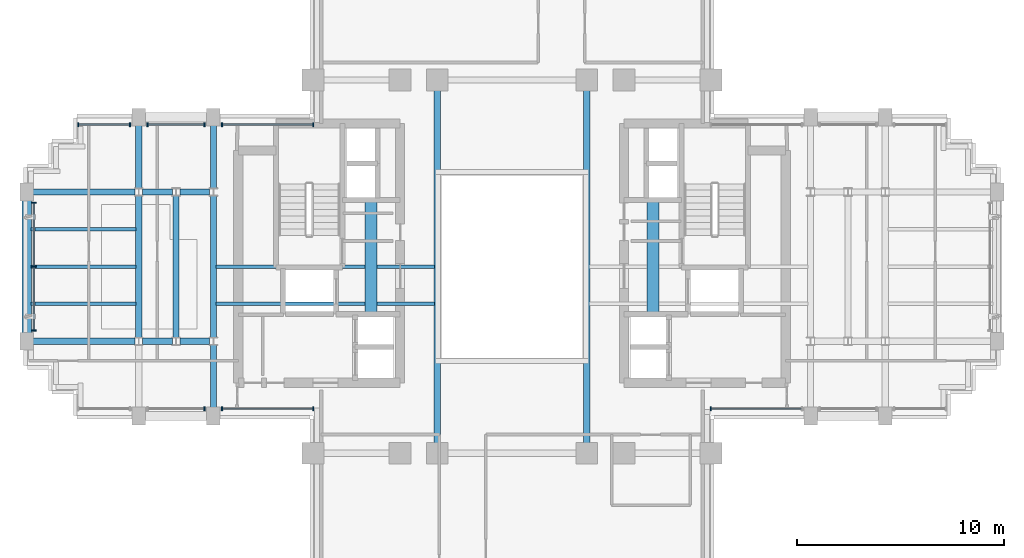
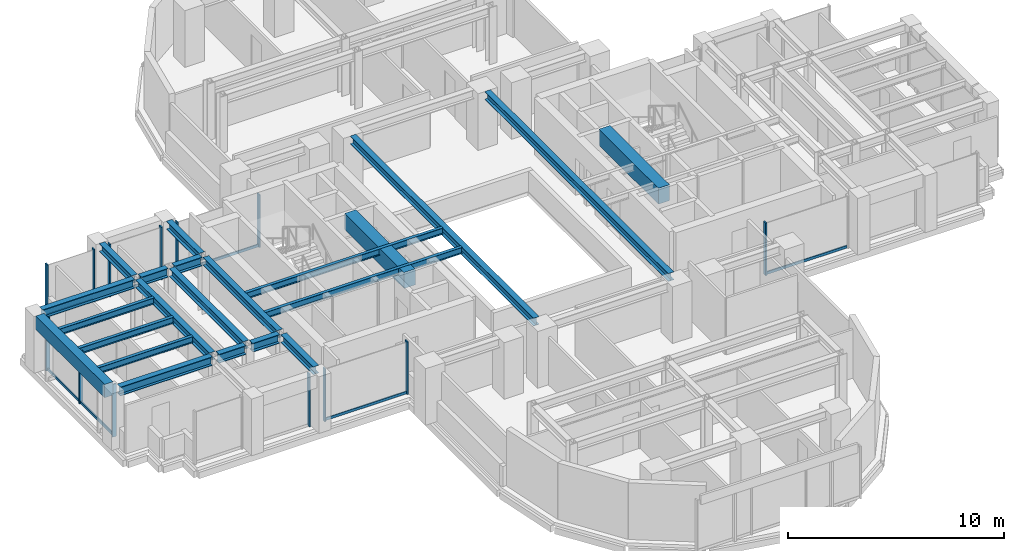
# One storey, part 4 of 14: 22 beams, 20 members, 7 elements without a shape of their own.
"""IFC4 building model written with IfcOpenShell, lengths in metres."""

from ifc_helpers import new_model, si_unit, direction, frame, origin, origin_2d, place, context, subcontext, project, spatial, rectangle, i_section, extrude, source, transform, mapped, material, material_profile, profile_set, type_object, element, aggregate, save


model = new_model("IFC4")

# Units and contexts
model_context = context("Model", 3, precision=1e-05, world=origin(), true_north=direction((0.0, 1.0)))
body_context = subcontext(model_context, "Body", "Model", "MODEL_VIEW")
ifc_project = project(units=[si_unit("LENGTHUNIT", "METRE"), si_unit("AREAUNIT", "SQUARE_METRE"), si_unit("VOLUMEUNIT", "CUBIC_METRE"), si_unit("PLANEANGLEUNIT", "RADIAN"), si_unit("MASSUNIT", "GRAM", prefix="KILO")], contexts=[model_context])

# Site, building, storey
site_placement = place(None, origin())
site = spatial("IfcSite", under=ifc_project, at=site_placement, CompositionType="ELEMENT")
building_placement = place(site_placement, origin())
building = spatial("IfcBuilding", under=site, at=building_placement, Name="Keilestroom Media Tower", CompositionType="ELEMENT")
storey_placement = place(building_placement, frame((0.0, 0.0, 121.0)))
storey = spatial("IfcBuildingStorey", under=building, at=storey_placement, Name="L32", CompositionType="ELEMENT", Elevation=121.0)

# Beams
ifc_material_1 = material(Name="Concrete C70/85", Category="concrete")
ifc_material_profile_1 = material_profile(ifc_material_1, rectangle(XDim=0.60009765625, YDim=0.89990234375, at=origin_2d()), Name="RC 600x900")
ifc_profile_set_1 = profile_set([ifc_material_profile_1], Name="Concrete C70/85")
beam_type_1 = type_object("IfcBeamType", Name="Core-Coupling-Lintel-Beam-RC-600x900", PredefinedType="LINTEL", material=ifc_profile_set_1)
shared_shape_1 = source(origin(), body_context, "Body", "SweptSolid", [
    extrude(rectangle(XDim=0.60009765625, YDim=0.89990234375, at=origin_2d()), origin(), (0.0, 0.0, 1.0), 5.52001953125),
])
for number, where, z_axis, x_axis, name in (
    (1, (-6.800048828125, -2.300048828125, 2.75), (0.0, 1.0, 0.0), (-1.0, 0.0, 0.0), "L32 Beam CLB-1 CLB-L32-W"),
    (2, (6.800048828125, -2.300048828125, 2.75), (0.0, 1.0, 0.0), (-1.0, 0.0, 0.0), "L32 Beam CLB-1 CLB-L32-E"),
):
    element("IfcBeam", number, at=place(storey_placement, frame(where, z_axis=z_axis, x_axis=x_axis)), inside=storey, type_object=beam_type_1, Name=name, PredefinedType="LINTEL", context=body_context, shape_type="MappedRepresentation", body=[
        mapped(shared_shape_1, transform((0.0, 0.0, 0.0), x_axis=(1.0, 0.0, 0.0), y_axis=(0.0, 1.0, 0.0), z_axis=(0.0, 0.0, 1.0), scale=1.0)),
    ])
ifc_material_2 = material(Name="Steel S355", Category="steel")
ifc_material_profile_2 = material_profile(ifc_material_2, i_section(OverallWidth=0.169921875, OverallDepth=0.360107421875, WebThickness=0.008056640625, FlangeThickness=0.0126953125, at=origin_2d()), Name="IPE 360")
ifc_profile_set_2 = profile_set([ifc_material_profile_2], Name="Steel S355")
beam_type_2 = type_object("IfcBeamType", Name="Secondary-Floor-Joist-IPE-360", PredefinedType="JOIST", material=ifc_profile_set_2)
shared_shape_2 = source(origin(), body_context, "Body", "SweptSolid", [
    extrude(i_section(OverallWidth=0.169921875, OverallDepth=0.360107421875, WebThickness=0.008056640625, FlangeThickness=0.0126953125, at=origin_2d()), origin(), (0.0, 0.0, 1.0), 10.5400390625),
])
for number, where, z_axis, x_axis, name in (
    (3, (-14.27001953125, -1.800048828125, 3.02001953125), (1.0, 0.0, 0.0), (0.0, 1.0, 0.0), "L32 Beam BJ-5 JST-L32-072"),
    (4, (-14.27001953125, 0.0, 3.02001953125), (1.0, 0.0, 0.0), (0.0, 1.0, 0.0), "L32 Beam BJ-5 JST-L32-077"),
):
    element("IfcBeam", number, at=place(storey_placement, frame(where, z_axis=z_axis, x_axis=x_axis)), inside=storey, type_object=beam_type_2, Name=name, PredefinedType="JOIST", context=body_context, shape_type="MappedRepresentation", body=[
        mapped(shared_shape_2, transform((0.0, 0.0, 0.0), x_axis=(1.0, 0.0, 0.0), y_axis=(0.0, 1.0, 0.0), z_axis=(0.0, 0.0, 1.0), scale=1.0)),
    ])
ifc_material_profile_3 = material_profile(ifc_material_2, i_section(OverallWidth=0.300048828125, OverallDepth=0.5, WebThickness=0.012451171875, FlangeThickness=0.028076171875, at=origin_2d()), Name="HEB 500")
ifc_profile_set_3 = profile_set([ifc_material_profile_3], Name="Steel S355")
beam_type_3 = type_object("IfcBeamType", Name="Primary-Structural-Girder-HEB-500", PredefinedType="BEAM", material=ifc_profile_set_3)
shared_shape_3 = source(origin(), body_context, "Body", "SweptSolid", [
    extrude(i_section(OverallWidth=0.300048828125, OverallDepth=0.5, WebThickness=0.012451171875, FlangeThickness=0.028076171875, at=origin_2d()), origin(), (0.0, 0.0, 1.0), 4.91455078125),
])
for number, where, z_axis, x_axis, name in (
    (5, (-23.094970703125, -3.60009765625, 2.949951171875), (1.0, 0.0, 0.0), (0.0, 1.0, 0.0), "L32 Beam BG-6 BM-L32-EW-014"),
    (6, (-23.094970703125, 3.60009765625, 2.949951171875), (1.0, 0.0, 0.0), (0.0, 1.0, 0.0), "L32 Beam BG-6 BM-L32-EW-020"),
):
    element("IfcBeam", number, at=place(storey_placement, frame(where, z_axis=z_axis, x_axis=x_axis)), inside=storey, type_object=beam_type_3, Name=name, PredefinedType="BEAM", context=body_context, shape_type="MappedRepresentation", body=[
        mapped(shared_shape_3, transform((0.0, 0.0, 0.0), x_axis=(1.0, 0.0, 0.0), y_axis=(0.0, 1.0, 0.0), z_axis=(0.0, 0.0, 1.0), scale=1.0)),
    ])
shared_shape_4 = source(origin(), body_context, "Body", "SweptSolid", [
    extrude(i_section(OverallWidth=0.300048828125, OverallDepth=0.5, WebThickness=0.012451171875, FlangeThickness=0.028076171875, at=origin_2d()), origin(), (0.0, 0.0, 1.0), 1.43896484375),
])
for number, where, z_axis, x_axis, name in (
    (7, (-17.819580078125, -3.60009765625, 2.949951171875), (1.0, 0.0, 0.0), (0.0, 1.0, 0.0), "L32 Beam BG-6 BM-L32-EW-015"),
    (8, (-16.01953125, -3.60009765625, 2.949951171875), (1.0, 0.0, 0.0), (0.0, 1.0, 0.0), "L32 Beam BG-6 BM-L32-EW-016"),
    (9, (-17.819580078125, 3.60009765625, 2.949951171875), (1.0, 0.0, 0.0), (0.0, 1.0, 0.0), "L32 Beam BG-6 BM-L32-EW-021"),
    (10, (-16.01953125, 3.60009765625, 2.949951171875), (1.0, 0.0, 0.0), (0.0, 1.0, 0.0), "L32 Beam BG-6 BM-L32-EW-022"),
):
    element("IfcBeam", number, at=place(storey_placement, frame(where, z_axis=z_axis, x_axis=x_axis)), inside=storey, type_object=beam_type_3, Name=name, PredefinedType="BEAM", context=body_context, shape_type="MappedRepresentation", body=[
        mapped(shared_shape_4, transform((0.0, 0.0, 0.0), x_axis=(1.0, 0.0, 0.0), y_axis=(0.0, 1.0, 0.0), z_axis=(0.0, 0.0, 1.0), scale=1.0)),
    ])
ifc_material_3 = material(Name="Precast concrete C40/50", Category="concrete")
ifc_material_profile_4 = material_profile(ifc_material_3, rectangle(XDim=0.449951171875, YDim=0.75, at=origin_2d()), Name="PC 450x750")
ifc_profile_set_4 = profile_set([ifc_material_profile_4], Name="Precast concrete C40/50")
beam_type_4 = type_object("IfcBeamType", Name="Perimeter-Spandrel-Beam-PC-450x750", PredefinedType="SPANDREL", material=ifc_profile_set_4)
shared_shape_5 = source(origin(), body_context, "Body", "SweptSolid", [
    extrude(rectangle(XDim=0.449951171875, YDim=0.75, at=origin_2d()), origin(), (0.0, 0.0, 1.0), 6.39013671875),
])
beam_placement = place(storey_placement, frame((-23.39990234375, -3.195068359375, 2.824951171875), z_axis=(0.0, 1.0, 0.0), x_axis=(-1.0, 0.0, 0.0)))
element("IfcBeam", 11, at=beam_placement, inside=storey, type_object=beam_type_4, Name="L32 Beam SPB-1 BM-L32-NS-039", PredefinedType="SPANDREL", context=body_context, shape_type="MappedRepresentation", body=[
    mapped(shared_shape_5, transform((0.0, 0.0, 0.0), x_axis=(1.0, 0.0, 0.0), y_axis=(0.0, 1.0, 0.0), z_axis=(0.0, 0.0, 1.0), scale=1.0)),
])
ifc_material_profile_5 = material_profile(ifc_material_2, i_section(OverallWidth=0.300048828125, OverallDepth=0.449951171875, WebThickness=0.011962890625, FlangeThickness=0.02587890625, at=origin_2d()), Name="HEB 450")
ifc_profile_set_5 = profile_set([ifc_material_profile_5], Name="Steel S355")
beam_type_5 = type_object("IfcBeamType", Name="Primary-Structural-Girder-HEB-450", PredefinedType="BEAM", material=ifc_profile_set_5)
shared_shape_6 = source(origin(), body_context, "Body", "SweptSolid", [
    extrude(i_section(OverallWidth=0.300048828125, OverallDepth=0.449951171875, WebThickness=0.011962890625, FlangeThickness=0.02587890625, at=origin_2d()), origin(), (0.0, 0.0, 1.0), 3.015380859375),
])
for number, where, z_axis, x_axis, name in (
    (12, (-18.0, 3.779541015625, 2.97509765625), (0.0, 1.0, 0.0), (-1.0, 0.0, 0.0), "L32 Beam BG-7 BM-L32-NS-042"),
    (13, (-14.39990234375, -6.794921875, 2.97509765625), (0.0, 1.0, 0.0), (-1.0, 0.0, 0.0), "L32 Beam BG-7 BM-L32-NS-044"),
    (14, (-14.39990234375, 3.779541015625, 2.97509765625), (0.0, 1.0, 0.0), (-1.0, 0.0, 0.0), "L32 Beam BG-7 BM-L32-NS-046"),
):
    element("IfcBeam", number, at=place(storey_placement, frame(where, z_axis=z_axis, x_axis=x_axis)), inside=storey, type_object=beam_type_5, Name=name, PredefinedType="BEAM", context=body_context, shape_type="MappedRepresentation", body=[
        mapped(shared_shape_6, transform((0.0, 0.0, 0.0), x_axis=(1.0, 0.0, 0.0), y_axis=(0.0, 1.0, 0.0), z_axis=(0.0, 0.0, 1.0), scale=1.0)),
    ])
shared_shape_7 = source(origin(), body_context, "Body", "SweptSolid", [
    extrude(i_section(OverallWidth=0.300048828125, OverallDepth=0.449951171875, WebThickness=0.011962890625, FlangeThickness=0.02587890625, at=origin_2d()), origin(), (0.0, 0.0, 1.0), 6.8408203125),
])
for number, where, z_axis, x_axis, name in (
    (15, (-18.0, -3.42041015625, 2.97509765625), (0.0, 1.0, 0.0), (-1.0, 0.0, 0.0), "L32 Beam BG-7 BM-L32-NS-041"),
    (16, (-16.199951171875, -3.42041015625, 2.97509765625), (0.0, 1.0, 0.0), (-1.0, 0.0, 0.0), "L32 Beam BG-7 BM-L32-NS-043"),
    (17, (-14.39990234375, -3.42041015625, 2.97509765625), (0.0, 1.0, 0.0), (-1.0, 0.0, 0.0), "L32 Beam BG-7 BM-L32-NS-045"),
):
    element("IfcBeam", number, at=place(storey_placement, frame(where, z_axis=z_axis, x_axis=x_axis)), inside=storey, type_object=beam_type_5, Name=name, PredefinedType="BEAM", context=body_context, shape_type="MappedRepresentation", body=[
        mapped(shared_shape_7, transform((0.0, 0.0, 0.0), x_axis=(1.0, 0.0, 0.0), y_axis=(0.0, 1.0, 0.0), z_axis=(0.0, 0.0, 1.0), scale=1.0)),
    ])
shared_shape_8 = source(origin(), body_context, "Body", "SweptSolid", [
    extrude(i_section(OverallWidth=0.300048828125, OverallDepth=0.449951171875, WebThickness=0.011962890625, FlangeThickness=0.02587890625, at=origin_2d()), origin(), (0.0, 0.0, 1.0), 16.990234375),
])
for number, where, z_axis, x_axis, name in (
    (18, (-3.60009765625, -8.4951171875, 2.97509765625), (0.0, 1.0, 0.0), (-1.0, 0.0, 0.0), "L32 Beam BG-7 BM-L32-NS-051"),
    (19, (3.60009765625, -8.4951171875, 2.97509765625), (0.0, 1.0, 0.0), (-1.0, 0.0, 0.0), "L32 Beam BG-7 BM-L32-NS-056"),
):
    element("IfcBeam", number, at=place(storey_placement, frame(where, z_axis=z_axis, x_axis=x_axis)), inside=storey, type_object=beam_type_5, Name=name, PredefinedType="BEAM", context=body_context, shape_type="MappedRepresentation", body=[
        mapped(shared_shape_8, transform((0.0, 0.0, 0.0), x_axis=(1.0, 0.0, 0.0), y_axis=(0.0, 1.0, 0.0), z_axis=(0.0, 0.0, 1.0), scale=1.0)),
    ])
shared_shape_9 = source(origin(), body_context, "Body", "SweptSolid", [
    extrude(i_section(OverallWidth=0.169921875, OverallDepth=0.360107421875, WebThickness=0.008056640625, FlangeThickness=0.0126953125, at=origin_2d()), origin(), (0.0, 0.0, 1.0), 5.065185546875),
])
for number, where, z_axis, x_axis, name in (
    (20, (-23.195068359375, -1.800048828125, 3.02001953125), (1.0, 0.0, 0.0), (0.0, 1.0, 0.0), "L32 Beam BJ-5 JST-L32-071"),
    (21, (-23.195068359375, 0.0, 3.02001953125), (1.0, 0.0, 0.0), (0.0, 1.0, 0.0), "L32 Beam BJ-5 JST-L32-076"),
    (22, (-23.195068359375, 1.800048828125, 3.02001953125), (1.0, 0.0, 0.0), (0.0, 1.0, 0.0), "L32 Beam BJ-5 JST-L32-081"),
):
    element("IfcBeam", number, at=place(storey_placement, frame(where, z_axis=z_axis, x_axis=x_axis)), inside=storey, type_object=beam_type_2, Name=name, PredefinedType="JOIST", context=body_context, shape_type="MappedRepresentation", body=[
        mapped(shared_shape_9, transform((0.0, 0.0, 0.0), x_axis=(1.0, 0.0, 0.0), y_axis=(0.0, 1.0, 0.0), z_axis=(0.0, 0.0, 1.0), scale=1.0)),
    ])

# Curtain wall, members
ifc_material_4 = material(Name="Anodised Aluminium Alloy", Category="aluminium")
curtain_wall_type = type_object("IfcCurtainWallType", Name="Unitised-Curtain-Wall-CW-2", PredefinedType="NOTDEFINED", material=ifc_material_4)
curtain_wall_1_placement = place(storey_placement, origin())
curtain_wall_1 = element("IfcCurtainWall", 23, at=curtain_wall_1_placement, inside=storey, type_object=curtain_wall_type, Name="L32 Curtain Wall CW-2 CW-L32-W-1", PredefinedType="NOTDEFINED")
ifc_material_profile_6 = material_profile(ifc_material_4, rectangle(XDim=0.070068359375, YDim=0.199951171875, at=origin_2d()), Name="ALU MULLION 70x200")
ifc_profile_set_6 = profile_set([ifc_material_profile_6], Name="Anodised Aluminium Alloy")
member_type_1 = type_object("IfcMemberType", Name="Curtain-Wall-Mullion-CW-2", PredefinedType="MULLION", material=ifc_profile_set_6)
shared_shape_10 = source(origin(), body_context, "Body", "SweptSolid", [
    extrude(rectangle(XDim=0.070068359375, YDim=0.199951171875, at=origin_2d()), origin(), (0.0, 0.0, 1.0), 2.97998046875),
])
member_1_placement = place(storey_placement, frame((-23.050048828125, -3.080078125, 0.0), z_axis=(0.0, 0.0, 1.0), x_axis=(0.0, 1.0, 0.0)))
member_1 = element("IfcMember", 24, at=member_1_placement, type_object=member_type_1, Name="CW-2 Mullion 00", PredefinedType="MULLION", context=body_context, shape_type="MappedRepresentation", body=[
    mapped(shared_shape_10, transform((0.0, 0.0, 0.0), x_axis=(1.0, 0.0, 0.0), y_axis=(0.0, 1.0, 0.0), z_axis=(0.0, 0.0, 1.0), scale=1.0)),
])
member_2_placement = place(storey_placement, frame((-23.050048828125, 0.0, 0.0), z_axis=(0.0, 0.0, 1.0), x_axis=(0.0, 1.0, 0.0)))
member_2 = element("IfcMember", 25, at=member_2_placement, type_object=member_type_1, Name="CW-2 Mullion 01", PredefinedType="MULLION", context=body_context, shape_type="MappedRepresentation", body=[
    mapped(shared_shape_10, transform((0.0, 0.0, 0.0), x_axis=(1.0, 0.0, 0.0), y_axis=(0.0, 1.0, 0.0), z_axis=(0.0, 0.0, 1.0), scale=1.0)),
])
member_3_placement = place(storey_placement, frame((-23.050048828125, 3.080078125, 0.0), z_axis=(0.0, 0.0, 1.0), x_axis=(0.0, 1.0, 0.0)))
member_3 = element("IfcMember", 26, at=member_3_placement, type_object=member_type_1, Name="CW-2 Mullion 02", PredefinedType="MULLION", context=body_context, shape_type="MappedRepresentation", body=[
    mapped(shared_shape_10, transform((0.0, 0.0, 0.0), x_axis=(1.0, 0.0, 0.0), y_axis=(0.0, 1.0, 0.0), z_axis=(0.0, 0.0, 1.0), scale=1.0)),
])

curtain_wall_2_placement = place(storey_placement, origin())
curtain_wall_2 = element("IfcCurtainWall", 27, at=curtain_wall_2_placement, inside=storey, type_object=curtain_wall_type, Name="L32 Curtain Wall CW-2 CW-L32-NW-1", PredefinedType="NOTDEFINED")
member_4_placement = place(storey_placement, frame((-20.9150390625, 6.85009765625, 0.0), z_axis=(0.0, 0.0, 1.0), x_axis=(1.0, 0.0, 0.0)))
member_4 = element("IfcMember", 28, at=member_4_placement, type_object=member_type_1, Name="CW-2 Mullion 00", PredefinedType="MULLION", context=body_context, shape_type="MappedRepresentation", body=[
    mapped(shared_shape_10, transform((0.0, 0.0, 0.0), x_axis=(1.0, 0.0, 0.0), y_axis=(0.0, 1.0, 0.0), z_axis=(0.0, 0.0, 1.0), scale=1.0)),
])
member_5_placement = place(storey_placement, frame((-18.419921875, 6.85009765625, 0.0), z_axis=(0.0, 0.0, 1.0), x_axis=(1.0, 0.0, 0.0)))
member_5 = element("IfcMember", 29, at=member_5_placement, type_object=member_type_1, Name="CW-2 Mullion 01", PredefinedType="MULLION", context=body_context, shape_type="MappedRepresentation", body=[
    mapped(shared_shape_10, transform((0.0, 0.0, 0.0), x_axis=(1.0, 0.0, 0.0), y_axis=(0.0, 1.0, 0.0), z_axis=(0.0, 0.0, 1.0), scale=1.0)),
])

curtain_wall_3_placement = place(storey_placement, origin())
curtain_wall_3 = element("IfcCurtainWall", 30, at=curtain_wall_3_placement, inside=storey, type_object=curtain_wall_type, Name="L32 Curtain Wall CW-2 CW-L32-NW-2", PredefinedType="NOTDEFINED")
member_6_placement = place(storey_placement, frame((-17.580078125, 6.85009765625, 0.0), z_axis=(0.0, 0.0, 1.0), x_axis=(1.0, 0.0, 0.0)))
member_6 = element("IfcMember", 31, at=member_6_placement, type_object=member_type_1, Name="CW-2 Mullion 00", PredefinedType="MULLION", context=body_context, shape_type="MappedRepresentation", body=[
    mapped(shared_shape_10, transform((0.0, 0.0, 0.0), x_axis=(1.0, 0.0, 0.0), y_axis=(0.0, 1.0, 0.0), z_axis=(0.0, 0.0, 1.0), scale=1.0)),
])
member_7_placement = place(storey_placement, frame((-14.820068359375, 6.85009765625, 0.0), z_axis=(0.0, 0.0, 1.0), x_axis=(1.0, 0.0, 0.0)))
member_7 = element("IfcMember", 32, at=member_7_placement, type_object=member_type_1, Name="CW-2 Mullion 01", PredefinedType="MULLION", context=body_context, shape_type="MappedRepresentation", body=[
    mapped(shared_shape_10, transform((0.0, 0.0, 0.0), x_axis=(1.0, 0.0, 0.0), y_axis=(0.0, 1.0, 0.0), z_axis=(0.0, 0.0, 1.0), scale=1.0)),
])

curtain_wall_4_placement = place(storey_placement, origin())
curtain_wall_4 = element("IfcCurtainWall", 33, at=curtain_wall_4_placement, inside=storey, type_object=curtain_wall_type, Name="L32 Curtain Wall CW-2 CW-L32-NW-3", PredefinedType="NOTDEFINED")
member_8_placement = place(storey_placement, frame((-13.97998046875, 6.85009765625, 0.0), z_axis=(0.0, 0.0, 1.0), x_axis=(1.0, 0.0, 0.0)))
member_8 = element("IfcMember", 34, at=member_8_placement, type_object=member_type_1, Name="CW-2 Mullion 00", PredefinedType="MULLION", context=body_context, shape_type="MappedRepresentation", body=[
    mapped(shared_shape_10, transform((0.0, 0.0, 0.0), x_axis=(1.0, 0.0, 0.0), y_axis=(0.0, 1.0, 0.0), z_axis=(0.0, 0.0, 1.0), scale=1.0)),
])
member_9_placement = place(storey_placement, frame((-9.5849609375, 6.85009765625, 0.0), z_axis=(0.0, 0.0, 1.0), x_axis=(1.0, 0.0, 0.0)))
member_9 = element("IfcMember", 35, at=member_9_placement, type_object=member_type_1, Name="CW-2 Mullion 01", PredefinedType="MULLION", context=body_context, shape_type="MappedRepresentation", body=[
    mapped(shared_shape_10, transform((0.0, 0.0, 0.0), x_axis=(1.0, 0.0, 0.0), y_axis=(0.0, 1.0, 0.0), z_axis=(0.0, 0.0, 1.0), scale=1.0)),
])

# Curtain wall, member
curtain_wall_5_placement = place(storey_placement, origin())
curtain_wall_5 = element("IfcCurtainWall", 36, at=curtain_wall_5_placement, inside=storey, type_object=curtain_wall_type, Name="L32 Curtain Wall CW-2 CW-L32-SW-2", PredefinedType="NOTDEFINED")
member_10_placement = place(storey_placement, frame((-14.820068359375, -6.85009765625, 0.0), z_axis=(0.0, 0.0, 1.0), x_axis=(1.0, 0.0, 0.0)))
member_10 = element("IfcMember", 37, at=member_10_placement, type_object=member_type_1, Name="CW-2 Mullion 01", PredefinedType="MULLION", context=body_context, shape_type="MappedRepresentation", body=[
    mapped(shared_shape_10, transform((0.0, 0.0, 0.0), x_axis=(1.0, 0.0, 0.0), y_axis=(0.0, 1.0, 0.0), z_axis=(0.0, 0.0, 1.0), scale=1.0)),
])
aggregate(curtain_wall_5, [member_10])

# Curtain wall, members
curtain_wall_6_placement = place(storey_placement, origin())
curtain_wall_6 = element("IfcCurtainWall", 38, at=curtain_wall_6_placement, inside=storey, type_object=curtain_wall_type, Name="L32 Curtain Wall CW-2 CW-L32-SW-3", PredefinedType="NOTDEFINED")
member_11_placement = place(storey_placement, frame((-13.97998046875, -6.85009765625, 0.0), z_axis=(0.0, 0.0, 1.0), x_axis=(1.0, 0.0, 0.0)))
member_11 = element("IfcMember", 39, at=member_11_placement, type_object=member_type_1, Name="CW-2 Mullion 00", PredefinedType="MULLION", context=body_context, shape_type="MappedRepresentation", body=[
    mapped(shared_shape_10, transform((0.0, 0.0, 0.0), x_axis=(1.0, 0.0, 0.0), y_axis=(0.0, 1.0, 0.0), z_axis=(0.0, 0.0, 1.0), scale=1.0)),
])
member_12_placement = place(storey_placement, frame((-9.5849609375, -6.85009765625, 0.0), z_axis=(0.0, 0.0, 1.0), x_axis=(1.0, 0.0, 0.0)))
member_12 = element("IfcMember", 40, at=member_12_placement, type_object=member_type_1, Name="CW-2 Mullion 01", PredefinedType="MULLION", context=body_context, shape_type="MappedRepresentation", body=[
    mapped(shared_shape_10, transform((0.0, 0.0, 0.0), x_axis=(1.0, 0.0, 0.0), y_axis=(0.0, 1.0, 0.0), z_axis=(0.0, 0.0, 1.0), scale=1.0)),
])

# Curtain wall, member
curtain_wall_7_placement = place(storey_placement, origin())
curtain_wall_7 = element("IfcCurtainWall", 41, at=curtain_wall_7_placement, inside=storey, type_object=curtain_wall_type, Name="L32 Curtain Wall CW-2 CW-L32-SE-1", PredefinedType="NOTDEFINED")
member_13_placement = place(storey_placement, frame((9.5849609375, -6.85009765625, 0.0), z_axis=(0.0, 0.0, 1.0), x_axis=(1.0, 0.0, 0.0)))
member_13 = element("IfcMember", 42, at=member_13_placement, type_object=member_type_1, Name="CW-2 Mullion 00", PredefinedType="MULLION", context=body_context, shape_type="MappedRepresentation", body=[
    mapped(shared_shape_10, transform((0.0, 0.0, 0.0), x_axis=(1.0, 0.0, 0.0), y_axis=(0.0, 1.0, 0.0), z_axis=(0.0, 0.0, 1.0), scale=1.0)),
])

# Member
ifc_material_profile_7 = material_profile(ifc_material_4, rectangle(XDim=0.06494140625, YDim=0.14990234375, at=origin_2d()), Name="ALU TRANSOM 65x150")
ifc_profile_set_7 = profile_set([ifc_material_profile_7], Name="Anodised Aluminium Alloy")
member_type_2 = type_object("IfcMemberType", Name="Curtain-Wall-Transom-CW-2", PredefinedType="USERDEFINED", material=ifc_profile_set_7)
shared_shape_11 = source(origin(), body_context, "Body", "SweptSolid", [
    extrude(rectangle(XDim=0.06494140625, YDim=0.14990234375, at=origin_2d()), origin(), (0.0, 0.0, 1.0), 2.42919921875),
])
member_14_placement = place(storey_placement, frame((-20.882080078125, 6.85009765625, 0.074951171875), z_axis=(1.0, 0.0, 0.0), x_axis=(0.0, 1.0, 0.0)))
member_14 = element("IfcMember", 43, at=member_14_placement, type_object=member_type_2, Name="CW-2 Transom 00.1", ObjectType="TRANSOM", PredefinedType="USERDEFINED", context=body_context, shape_type="MappedRepresentation", body=[
    mapped(shared_shape_11, transform((0.0, 0.0, 0.0), x_axis=(1.0, 0.0, 0.0), y_axis=(0.0, 1.0, 0.0), z_axis=(0.0, 0.0, 1.0), scale=1.0)),
])

aggregate(curtain_wall_2, [member_4, member_5, member_14])

shared_shape_12 = source(origin(), body_context, "Body", "SweptSolid", [
    extrude(rectangle(XDim=0.06494140625, YDim=0.14990234375, at=origin_2d()), origin(), (0.0, 0.0, 1.0), 2.694091796875),
])
member_15_placement = place(storey_placement, frame((-17.547119140625, 6.85009765625, 0.074951171875), z_axis=(1.0, 0.0, 0.0), x_axis=(0.0, 1.0, 0.0)))
member_15 = element("IfcMember", 44, at=member_15_placement, type_object=member_type_2, Name="CW-2 Transom 00.1", ObjectType="TRANSOM", PredefinedType="USERDEFINED", context=body_context, shape_type="MappedRepresentation", body=[
    mapped(shared_shape_12, transform((0.0, 0.0, 0.0), x_axis=(1.0, 0.0, 0.0), y_axis=(0.0, 1.0, 0.0), z_axis=(0.0, 0.0, 1.0), scale=1.0)),
])

aggregate(curtain_wall_3, [member_6, member_7, member_15])

shared_shape_13 = source(origin(), body_context, "Body", "SweptSolid", [
    extrude(rectangle(XDim=0.06494140625, YDim=0.14990234375, at=origin_2d()), origin(), (0.0, 0.0, 1.0), 4.3291015625),
])
member_16_placement = place(storey_placement, frame((-13.947021484375, 6.85009765625, 0.074951171875), z_axis=(1.0, 0.0, 0.0), x_axis=(0.0, 1.0, 0.0)))
member_16 = element("IfcMember", 45, at=member_16_placement, type_object=member_type_2, Name="CW-2 Transom 00.1", ObjectType="TRANSOM", PredefinedType="USERDEFINED", context=body_context, shape_type="MappedRepresentation", body=[
    mapped(shared_shape_13, transform((0.0, 0.0, 0.0), x_axis=(1.0, 0.0, 0.0), y_axis=(0.0, 1.0, 0.0), z_axis=(0.0, 0.0, 1.0), scale=1.0)),
])

aggregate(curtain_wall_4, [member_8, member_9, member_16])

member_17_placement = place(storey_placement, frame((-13.947021484375, -6.85009765625, 0.074951171875), z_axis=(1.0, 0.0, 0.0), x_axis=(0.0, 1.0, 0.0)))
member_17 = element("IfcMember", 46, at=member_17_placement, type_object=member_type_2, Name="CW-2 Transom 00.1", ObjectType="TRANSOM", PredefinedType="USERDEFINED", context=body_context, shape_type="MappedRepresentation", body=[
    mapped(shared_shape_13, transform((0.0, 0.0, 0.0), x_axis=(1.0, 0.0, 0.0), y_axis=(0.0, 1.0, 0.0), z_axis=(0.0, 0.0, 1.0), scale=1.0)),
])

aggregate(curtain_wall_6, [member_11, member_12, member_17])

member_18_placement = place(storey_placement, frame((9.617919921875, -6.85009765625, 0.074951171875), z_axis=(1.0, 0.0, 0.0), x_axis=(0.0, 1.0, 0.0)))
member_18 = element("IfcMember", 47, at=member_18_placement, type_object=member_type_2, Name="CW-2 Transom 00.1", ObjectType="TRANSOM", PredefinedType="USERDEFINED", context=body_context, shape_type="MappedRepresentation", body=[
    mapped(shared_shape_13, transform((0.0, 0.0, 0.0), x_axis=(1.0, 0.0, 0.0), y_axis=(0.0, 1.0, 0.0), z_axis=(0.0, 0.0, 1.0), scale=1.0)),
])

aggregate(curtain_wall_7, [member_13, member_18])

shared_shape_14 = source(origin(), body_context, "Body", "SweptSolid", [
    extrude(rectangle(XDim=0.06494140625, YDim=0.14990234375, at=origin_2d()), origin(), (0.0, 0.0, 1.0), 3.01416015625),
])
member_19_placement = place(storey_placement, frame((-23.050048828125, -3.047119140625, 0.074951171875), z_axis=(0.0, 1.0, 0.0), x_axis=(-1.0, 0.0, 0.0)))
member_19 = element("IfcMember", 48, at=member_19_placement, type_object=member_type_2, Name="CW-2 Transom 00.1", ObjectType="TRANSOM", PredefinedType="USERDEFINED", context=body_context, shape_type="MappedRepresentation", body=[
    mapped(shared_shape_14, transform((0.0, 0.0, 0.0), x_axis=(1.0, 0.0, 0.0), y_axis=(0.0, 1.0, 0.0), z_axis=(0.0, 0.0, 1.0), scale=1.0)),
])

member_20_placement = place(storey_placement, frame((-23.050048828125, 0.032958984375, 0.074951171875), z_axis=(0.0, 1.0, 0.0), x_axis=(-1.0, 0.0, 0.0)))
member_20 = element("IfcMember", 49, at=member_20_placement, type_object=member_type_2, Name="CW-2 Transom 01.1", ObjectType="TRANSOM", PredefinedType="USERDEFINED", context=body_context, shape_type="MappedRepresentation", body=[
    mapped(shared_shape_14, transform((0.0, 0.0, 0.0), x_axis=(1.0, 0.0, 0.0), y_axis=(0.0, 1.0, 0.0), z_axis=(0.0, 0.0, 1.0), scale=1.0)),
])

aggregate(curtain_wall_1, [member_1, member_2, member_3, member_19, member_20])

save(model, "model.ifc")
